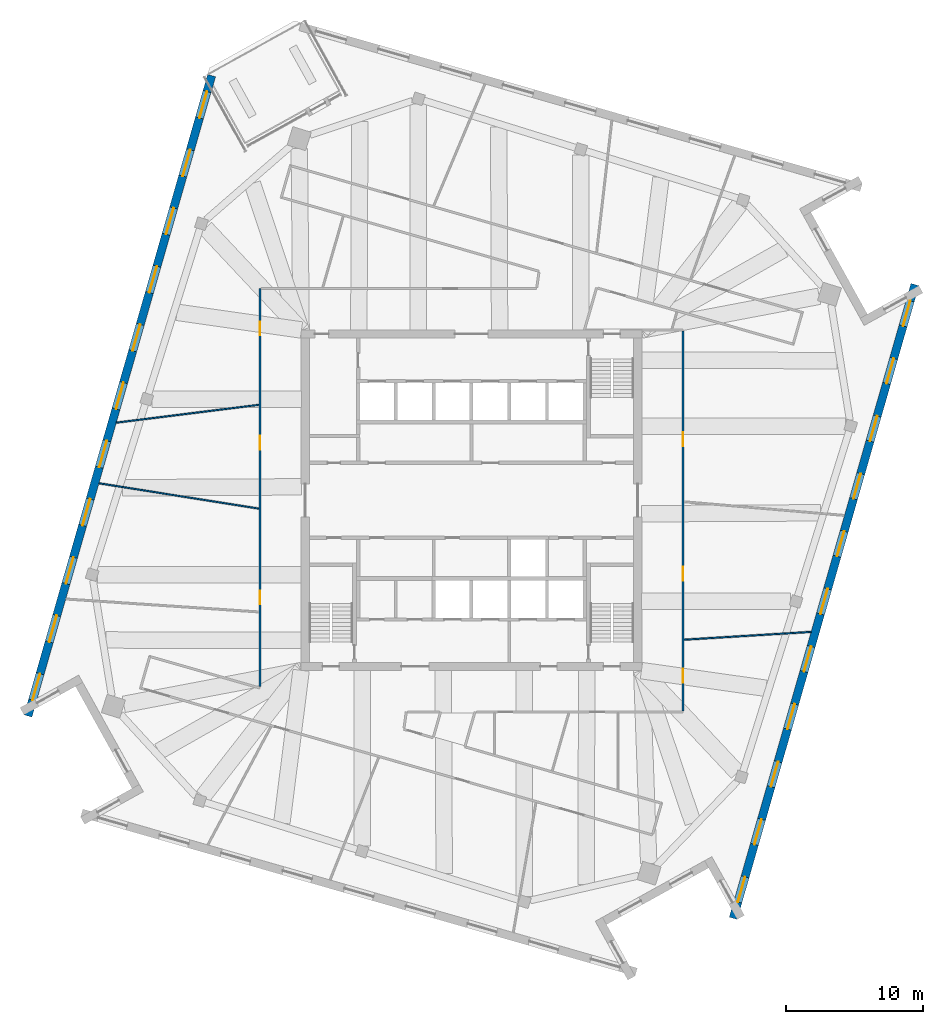
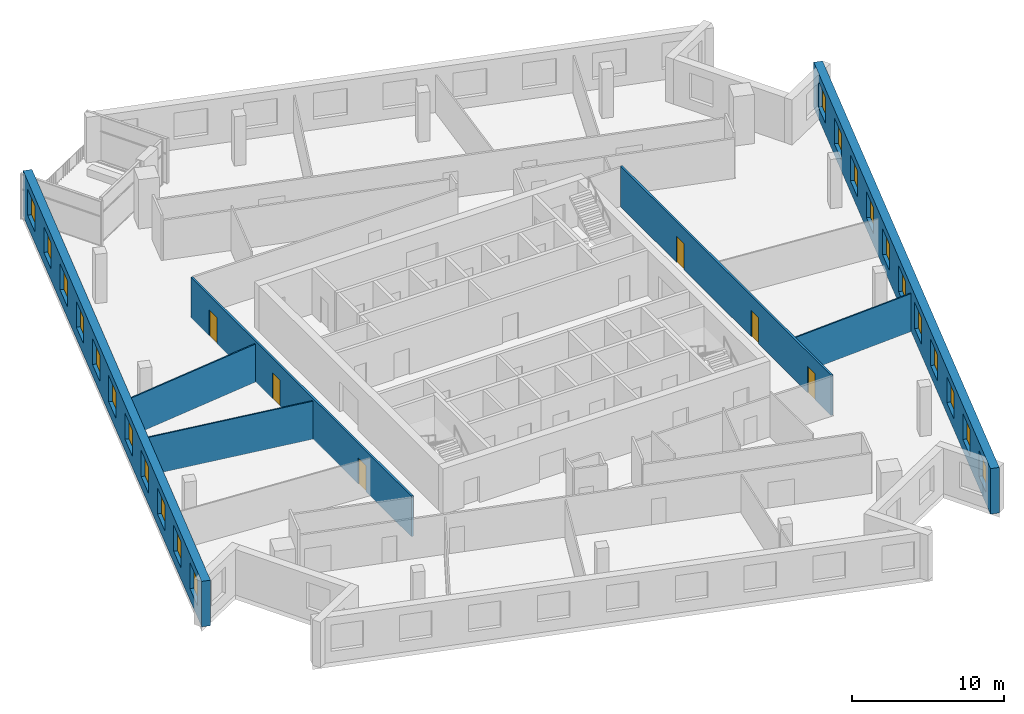
# One storey, part 9 of 15: 22 windows, 7 walls, 6 doors, 28 openings.
"""IFC4 building model written with IfcOpenShell, lengths in metres."""

from ifc_helpers import new_model, si_unit, direction, frame, frame_2d, origin, place, context, subcontext, project, spatial, rectangle, extrude, material, layer, layer_set, type_object, element, fill, save


model = new_model("IFC4")

# Units and contexts
model_context = context("Model", 3, precision=1e-05, world=origin(), true_north=direction((0.0, 1.0)))
body_context = subcontext(model_context, "Body", "Model", "MODEL_VIEW")
ifc_project = project(units=[si_unit("LENGTHUNIT", "METRE"), si_unit("AREAUNIT", "SQUARE_METRE"), si_unit("VOLUMEUNIT", "CUBIC_METRE"), si_unit("PLANEANGLEUNIT", "RADIAN"), si_unit("MASSUNIT", "GRAM", prefix="KILO")], contexts=[model_context])

# Site, building, storey
site_placement = place(None, origin())
site = spatial("IfcSite", under=ifc_project, at=site_placement, CompositionType="ELEMENT")
building_placement = place(site_placement, origin())
building = spatial("IfcBuilding", under=site, at=building_placement, Name="Dilmun Exchange Tower", CompositionType="ELEMENT")
storey_placement = place(building_placement, frame((0.0, 0.0, 328.5)))
storey = spatial("IfcBuildingStorey", under=building, at=storey_placement, Name="L78", CompositionType="ELEMENT", Elevation=328.5)

# Wall, openings, doors
ifc_material_1 = material(Name="Corridor wall 150")
ifc_layer_1 = layer(ifc_material_1, 0.14990234375)
ifc_layer_set_1 = layer_set([ifc_layer_1], Name="Corridor wall 150")
wall_type_1 = type_object("IfcWallType", Name="Corridor wall 150", PredefinedType="PARTITIONING", material=ifc_layer_set_1)
wall_1_placement = place(storey_placement, frame((-15.39990234375, -13.5654296875, 0.0), z_axis=(0.0, 0.0, 1.0), x_axis=(0.0, 1.0, 0.0)))
wall_1 = element("IfcWall", 1, at=wall_1_placement, inside=storey, type_object=wall_type_1, Name="Corridor wall", PredefinedType="PARTITIONING", context=body_context, shape_type="SweptSolid", body=[
    extrude(rectangle(XDim=28.96533203125, YDim=0.14990234375, at=frame_2d((14.482666015625, 0.0))), origin(), (0.0, 0.0, 1.0), 3.25),
])
opening_1_placement = place(wall_1_placement, frame((5.985595703125, 0.0, 0.0)))
opening_1 = element("IfcOpeningElement", 2, at=opening_1_placement, cuts=wall_1, Name="Opening TF77-D03", PredefinedType="OPENING", context=body_context, shape_type="SweptSolid", body=[
    extrude(rectangle(XDim=1.0, YDim=2.10009765625, at=frame_2d((0.5, 1.050048828125))), frame((0.0, 0.0849609375, 0.0), z_axis=(0.0, -1.0, 0.0), x_axis=(1.0, 0.0, 0.0)), (0.0, 0.0, 1.0), 0.169921875),
])
opening_2_placement = place(wall_1_placement, frame((17.248779296875, 0.0, 0.0)))
opening_2 = element("IfcOpeningElement", 3, at=opening_2_placement, cuts=wall_1, Name="Opening TF77-D04", PredefinedType="OPENING", context=body_context, shape_type="SweptSolid", body=[
    extrude(rectangle(XDim=1.0, YDim=2.10009765625, at=frame_2d((0.5, 1.050048828125))), frame((0.0, 0.0849609375, 0.0), z_axis=(0.0, -1.0, 0.0), x_axis=(1.0, 0.0, 0.0)), (0.0, 0.0, 1.0), 0.169921875),
])
opening_3_placement = place(wall_1_placement, frame((25.57080078125, 0.0, 0.0)))
opening_3 = element("IfcOpeningElement", 4, at=opening_3_placement, cuts=wall_1, Name="Opening TF77-D06", PredefinedType="OPENING", context=body_context, shape_type="SweptSolid", body=[
    extrude(rectangle(XDim=1.0, YDim=2.10009765625, at=frame_2d((0.5, 1.050048828125))), frame((0.0, 0.0849609375, 0.0), z_axis=(0.0, -1.0, 0.0), x_axis=(1.0, 0.0, 0.0)), (0.0, 0.0, 1.0), 0.169921875),
])
ifc_material_2 = material(Name="Fire door 1000 x 2100")
door_type = type_object("IfcDoorType", Name="Fire door 1000 x 2100", OperationType="NOTDEFINED", PredefinedType="DOOR", material=ifc_material_2)
door_1_placement = place(opening_1_placement, origin())
door_1 = element("IfcDoor", 5, at=door_1_placement, inside=storey, type_object=door_type, Name="Door TF77-D03", OperationType="SINGLE_SWING_RIGHT", OverallHeight=2.10009765625, OverallWidth=1.0, PredefinedType="DOOR", context=body_context, shape_type="SweptSolid", body=[
    extrude(rectangle(XDim=1.0, YDim=2.10009765625, at=frame_2d((0.5, 1.050048828125))), frame((0.0, 0.02490234375, 0.0), z_axis=(0.0, -1.0, 0.0), x_axis=(1.0, 0.0, 0.0)), (0.0, 0.0, 1.0), 0.050048828125),
])
fill(opening_1, door_1)
door_2_placement = place(opening_2_placement, origin())
door_2 = element("IfcDoor", 6, at=door_2_placement, inside=storey, type_object=door_type, Name="Door TF77-D04", OperationType="SINGLE_SWING_LEFT", OverallHeight=2.10009765625, OverallWidth=1.0, PredefinedType="DOOR", context=body_context, shape_type="SweptSolid", body=[
    extrude(rectangle(XDim=1.0, YDim=2.10009765625, at=frame_2d((0.5, 1.050048828125))), frame((0.0, 0.02490234375, 0.0), z_axis=(0.0, -1.0, 0.0), x_axis=(1.0, 0.0, 0.0)), (0.0, 0.0, 1.0), 0.050048828125),
])
fill(opening_2, door_2)
door_3_placement = place(opening_3_placement, origin())
door_3 = element("IfcDoor", 7, at=door_3_placement, inside=storey, type_object=door_type, Name="Door TF77-D06", OperationType="SINGLE_SWING_LEFT", OverallHeight=2.10009765625, OverallWidth=1.0, PredefinedType="DOOR", context=body_context, shape_type="SweptSolid", body=[
    extrude(rectangle(XDim=1.0, YDim=2.10009765625, at=frame_2d((0.5, 1.050048828125))), frame((0.0, 0.02490234375, 0.0), z_axis=(0.0, -1.0, 0.0), x_axis=(1.0, 0.0, 0.0)), (0.0, 0.0, 1.0), 0.050048828125),
])
fill(opening_3, door_3)

wall_2_placement = place(storey_placement, frame((15.39990234375, -15.324951171875, 0.0), z_axis=(0.0, 0.0, 1.0), x_axis=(0.0, 1.0, 0.0)))
wall_2 = element("IfcWall", 8, at=wall_2_placement, inside=storey, type_object=wall_type_1, Name="Corridor wall", PredefinedType="PARTITIONING", context=body_context, shape_type="SweptSolid", body=[
    extrude(rectangle(XDim=27.64990234375, YDim=0.14990234375, at=frame_2d((13.824951171875, 0.0))), origin(), (0.0, 0.0, 1.0), 3.25),
])
opening_4_placement = place(wall_2_placement, frame((2.050048828125, 0.0, 0.0)))
opening_4 = element("IfcOpeningElement", 9, at=opening_4_placement, cuts=wall_2, Name="Opening TF77-D17", PredefinedType="OPENING", context=body_context, shape_type="SweptSolid", body=[
    extrude(rectangle(XDim=1.0, YDim=2.10009765625, at=frame_2d((0.5, 1.050048828125))), frame((0.0, 0.0849609375, 0.0), z_axis=(0.0, -1.0, 0.0), x_axis=(1.0, 0.0, 0.0)), (0.0, 0.0, 1.0), 0.169921875),
])
opening_5_placement = place(wall_2_placement, frame((9.474365234375, 0.0, 0.0)))
opening_5 = element("IfcOpeningElement", 10, at=opening_5_placement, cuts=wall_2, Name="Opening TF77-D18", PredefinedType="OPENING", context=body_context, shape_type="SweptSolid", body=[
    extrude(rectangle(XDim=1.0, YDim=2.10009765625, at=frame_2d((0.5, 1.050048828125))), frame((0.0, 0.0849609375, 0.0), z_axis=(0.0, -1.0, 0.0), x_axis=(1.0, 0.0, 0.0)), (0.0, 0.0, 1.0), 0.169921875),
])
opening_6_placement = place(wall_2_placement, frame((19.271484375, 0.0, 0.0)))
opening_6 = element("IfcOpeningElement", 11, at=opening_6_placement, cuts=wall_2, Name="Opening TF77-D20", PredefinedType="OPENING", context=body_context, shape_type="SweptSolid", body=[
    extrude(rectangle(XDim=1.0, YDim=2.10009765625, at=frame_2d((0.5, 1.050048828125))), frame((0.0, 0.0849609375, 0.0), z_axis=(0.0, -1.0, 0.0), x_axis=(1.0, 0.0, 0.0)), (0.0, 0.0, 1.0), 0.169921875),
])
door_4_placement = place(opening_4_placement, frame((1.0, 0.0, 0.0), z_axis=(0.0, 0.0, 1.0), x_axis=(-1.0, 0.0, 0.0)))
door_4 = element("IfcDoor", 12, at=door_4_placement, inside=storey, type_object=door_type, Name="Door TF77-D17", OperationType="SINGLE_SWING_RIGHT", OverallHeight=2.10009765625, OverallWidth=1.0, PredefinedType="DOOR", context=body_context, shape_type="SweptSolid", body=[
    extrude(rectangle(XDim=1.0, YDim=2.10009765625, at=frame_2d((0.5, 1.050048828125))), frame((0.0, 0.02490234375, 0.0), z_axis=(0.0, -1.0, 0.0), x_axis=(1.0, 0.0, 0.0)), (0.0, 0.0, 1.0), 0.050048828125),
])
fill(opening_4, door_4)
door_5_placement = place(opening_5_placement, frame((1.0, 0.0, 0.0), z_axis=(0.0, 0.0, 1.0), x_axis=(-1.0, 0.0, 0.0)))
door_5 = element("IfcDoor", 13, at=door_5_placement, inside=storey, type_object=door_type, Name="Door TF77-D18", OperationType="SINGLE_SWING_LEFT", OverallHeight=2.10009765625, OverallWidth=1.0, PredefinedType="DOOR", context=body_context, shape_type="SweptSolid", body=[
    extrude(rectangle(XDim=1.0, YDim=2.10009765625, at=frame_2d((0.5, 1.050048828125))), frame((0.0, 0.02490234375, 0.0), z_axis=(0.0, -1.0, 0.0), x_axis=(1.0, 0.0, 0.0)), (0.0, 0.0, 1.0), 0.050048828125),
])
fill(opening_5, door_5)
door_6_placement = place(opening_6_placement, frame((1.0, 0.0, 0.0), z_axis=(0.0, 0.0, 1.0), x_axis=(-1.0, 0.0, 0.0)))
door_6 = element("IfcDoor", 14, at=door_6_placement, inside=storey, type_object=door_type, Name="Door TF77-D20", OperationType="SINGLE_SWING_LEFT", OverallHeight=2.10009765625, OverallWidth=1.0, PredefinedType="DOOR", context=body_context, shape_type="SweptSolid", body=[
    extrude(rectangle(XDim=1.0, YDim=2.10009765625, at=frame_2d((0.5, 1.050048828125))), frame((0.0, 0.02490234375, 0.0), z_axis=(0.0, -1.0, 0.0), x_axis=(1.0, 0.0, 0.0)), (0.0, 0.0, 1.0), 0.050048828125),
])
fill(opening_6, door_6)

# Walls
ifc_material_3 = material(Name="Partition 100")
ifc_layer_2 = layer(ifc_material_3, 0.10009765625)
ifc_layer_set_2 = layer_set([ifc_layer_2], Name="Partition 100")
wall_type_2 = type_object("IfcWallType", Name="Partition 100", PredefinedType="PARTITIONING", material=ifc_layer_set_2)
wall_3_placement = place(storey_placement, frame((-27.106689453125, 1.238037109375, 0.0), z_axis=(0.0, 0.0, 1.0), x_axis=(0.987675008346, -0.156518618344, 0.0)))
element("IfcWall", 15, at=wall_3_placement, inside=storey, type_object=wall_type_2, Name="Partition", PredefinedType="PARTITIONING", context=body_context, shape_type="SweptSolid", body=[
    extrude(rectangle(XDim=11.768798828125, YDim=0.10009765625, at=frame_2d((5.88427734375, 0.0))), origin(), (0.0, 0.0, 1.0), 3.050048828125),
])
wall_4_placement = place(storey_placement, frame((-25.841796875, 5.649658203125, 0.0), z_axis=(0.0, 0.0, 1.0), x_axis=(0.992219133517, 0.12450377939, 0.0)))
element("IfcWall", 16, at=wall_4_placement, inside=storey, type_object=wall_type_2, Name="Partition", PredefinedType="PARTITIONING", context=body_context, shape_type="SweptSolid", body=[
    extrude(rectangle(XDim=10.44189453125, YDim=0.10009765625, at=frame_2d((5.220947265625, 0.0))), origin(), (0.0, 0.0, 1.0), 3.050048828125),
])
wall_5_placement = place(storey_placement, frame((15.47802734375, -10.146240234375, 0.0), z_axis=(0.0, 0.0, 1.0), x_axis=(0.998109331295, 0.061463507728, 0.0)))
element("IfcWall", 17, at=wall_5_placement, inside=storey, type_object=wall_type_2, Name="Partition", PredefinedType="PARTITIONING", context=body_context, shape_type="SweptSolid", body=[
    extrude(rectangle(XDim=9.255126953125, YDim=0.10009765625, at=frame_2d((4.62744140625, 0.0))), origin(), (0.0, 0.0, 1.0), 3.050048828125),
])

# Wall, openings, windows
ifc_material_4 = material(Name="Precast concrete C50/60", Category="concrete")
ifc_layer_3 = layer(ifc_material_4, 0.60009765625)
ifc_layer_set_3 = layer_set([ifc_layer_3], Name="Precast concrete C50/60")
wall_type_3 = type_object("IfcWallType", Name="Precast stone-clad wall 600", PredefinedType="STANDARD", material=ifc_layer_set_3)
wall_6_placement = place(storey_placement, frame((-18.91259765625, 30.910400390625, 0.0), z_axis=(0.0, 0.0, 1.0), x_axis=(-0.275636693765, -0.961261885778, 0.0)))
wall_6 = element("IfcWall", 18, at=wall_6_placement, inside=storey, type_object=wall_type_3, Name="Facade wall L78-03", PredefinedType="STANDARD", context=body_context, shape_type="SweptSolid", body=[
    extrude(rectangle(XDim=48.489501953125, YDim=0.60009765625, at=frame_2d((24.24462890625, 0.0))), origin(), (0.0, 0.0, 1.0), 3.64990234375),
])
opening_7_placement = place(wall_6_placement, frame((1.2041015625, 0.0, 0.89990234375)))
opening_7 = element("IfcOpeningElement", 19, at=opening_7_placement, cuts=wall_6, Name="Opening W200-210", PredefinedType="OPENING", context=body_context, shape_type="SweptSolid", body=[
    extrude(rectangle(XDim=2.0, YDim=2.10009765625, at=frame_2d((1.0, 1.050048828125))), frame((0.0, 0.31005859375, 0.0), z_axis=(0.0, -1.0, 0.0), x_axis=(1.0, 0.0, 0.0)), (0.0, 0.0, 1.0), 0.6201171875),
])
opening_8_placement = place(wall_6_placement, frame((5.6123046875, 0.0, 0.89990234375)))
opening_8 = element("IfcOpeningElement", 20, at=opening_8_placement, cuts=wall_6, Name="Opening W200-210", PredefinedType="OPENING", context=body_context, shape_type="SweptSolid", body=[
    extrude(rectangle(XDim=2.0, YDim=2.10009765625, at=frame_2d((1.0, 1.050048828125))), frame((0.0, 0.31005859375, 0.0), z_axis=(0.0, -1.0, 0.0), x_axis=(1.0, 0.0, 0.0)), (0.0, 0.0, 1.0), 0.6201171875),
])
opening_9_placement = place(wall_6_placement, frame((10.0205078125, 0.0, 0.89990234375)))
opening_9 = element("IfcOpeningElement", 21, at=opening_9_placement, cuts=wall_6, Name="Opening W200-210", PredefinedType="OPENING", context=body_context, shape_type="SweptSolid", body=[
    extrude(rectangle(XDim=2.0, YDim=2.10009765625, at=frame_2d((1.0, 1.050048828125))), frame((0.0, 0.31005859375, 0.0), z_axis=(0.0, -1.0, 0.0), x_axis=(1.0, 0.0, 0.0)), (0.0, 0.0, 1.0), 0.6201171875),
])
opening_10_placement = place(wall_6_placement, frame((14.428466796875, 0.0, 0.89990234375)))
opening_10 = element("IfcOpeningElement", 22, at=opening_10_placement, cuts=wall_6, Name="Opening W200-210", PredefinedType="OPENING", context=body_context, shape_type="SweptSolid", body=[
    extrude(rectangle(XDim=2.0, YDim=2.10009765625, at=frame_2d((1.0, 1.050048828125))), frame((0.0, 0.31005859375, 0.0), z_axis=(0.0, -1.0, 0.0), x_axis=(1.0, 0.0, 0.0)), (0.0, 0.0, 1.0), 0.6201171875),
])
opening_11_placement = place(wall_6_placement, frame((18.836669921875, 0.0, 0.89990234375)))
opening_11 = element("IfcOpeningElement", 23, at=opening_11_placement, cuts=wall_6, Name="Opening W200-210", PredefinedType="OPENING", context=body_context, shape_type="SweptSolid", body=[
    extrude(rectangle(XDim=2.0, YDim=2.10009765625, at=frame_2d((1.0, 1.050048828125))), frame((0.0, 0.31005859375, 0.0), z_axis=(0.0, -1.0, 0.0), x_axis=(1.0, 0.0, 0.0)), (0.0, 0.0, 1.0), 0.6201171875),
])
opening_12_placement = place(wall_6_placement, frame((23.244873046875, 0.0, 0.89990234375)))
opening_12 = element("IfcOpeningElement", 24, at=opening_12_placement, cuts=wall_6, Name="Opening W200-210", PredefinedType="OPENING", context=body_context, shape_type="SweptSolid", body=[
    extrude(rectangle(XDim=2.0, YDim=2.10009765625, at=frame_2d((1.0, 1.050048828125))), frame((0.0, 0.31005859375, 0.0), z_axis=(0.0, -1.0, 0.0), x_axis=(1.0, 0.0, 0.0)), (0.0, 0.0, 1.0), 0.6201171875),
])
opening_13_placement = place(wall_6_placement, frame((27.65283203125, 0.0, 0.89990234375)))
opening_13 = element("IfcOpeningElement", 25, at=opening_13_placement, cuts=wall_6, Name="Opening W200-210", PredefinedType="OPENING", context=body_context, shape_type="SweptSolid", body=[
    extrude(rectangle(XDim=2.0, YDim=2.10009765625, at=frame_2d((1.0, 1.050048828125))), frame((0.0, 0.31005859375, 0.0), z_axis=(0.0, -1.0, 0.0), x_axis=(1.0, 0.0, 0.0)), (0.0, 0.0, 1.0), 0.6201171875),
])
opening_14_placement = place(wall_6_placement, frame((32.06103515625, 0.0, 0.89990234375)))
opening_14 = element("IfcOpeningElement", 26, at=opening_14_placement, cuts=wall_6, Name="Opening W200-210", PredefinedType="OPENING", context=body_context, shape_type="SweptSolid", body=[
    extrude(rectangle(XDim=2.0, YDim=2.10009765625, at=frame_2d((1.0, 1.050048828125))), frame((0.0, 0.31005859375, 0.0), z_axis=(0.0, -1.0, 0.0), x_axis=(1.0, 0.0, 0.0)), (0.0, 0.0, 1.0), 0.6201171875),
])
opening_15_placement = place(wall_6_placement, frame((36.46923828125, 0.0, 0.89990234375)))
opening_15 = element("IfcOpeningElement", 27, at=opening_15_placement, cuts=wall_6, Name="Opening W200-210", PredefinedType="OPENING", context=body_context, shape_type="SweptSolid", body=[
    extrude(rectangle(XDim=2.0, YDim=2.10009765625, at=frame_2d((1.0, 1.050048828125))), frame((0.0, 0.31005859375, 0.0), z_axis=(0.0, -1.0, 0.0), x_axis=(1.0, 0.0, 0.0)), (0.0, 0.0, 1.0), 0.6201171875),
])
opening_16_placement = place(wall_6_placement, frame((40.87744140625, 0.0, 0.89990234375)))
opening_16 = element("IfcOpeningElement", 28, at=opening_16_placement, cuts=wall_6, Name="Opening W200-210", PredefinedType="OPENING", context=body_context, shape_type="SweptSolid", body=[
    extrude(rectangle(XDim=2.0, YDim=2.10009765625, at=frame_2d((1.0, 1.050048828125))), frame((0.0, 0.31005859375, 0.0), z_axis=(0.0, -1.0, 0.0), x_axis=(1.0, 0.0, 0.0)), (0.0, 0.0, 1.0), 0.6201171875),
])
opening_17_placement = place(wall_6_placement, frame((45.285400390625, 0.0, 0.89990234375)))
opening_17 = element("IfcOpeningElement", 29, at=opening_17_placement, cuts=wall_6, Name="Opening W200-210", PredefinedType="OPENING", context=body_context, shape_type="SweptSolid", body=[
    extrude(rectangle(XDim=2.0, YDim=2.10009765625, at=frame_2d((1.0, 1.050048828125))), frame((0.0, 0.31005859375, 0.0), z_axis=(0.0, -1.0, 0.0), x_axis=(1.0, 0.0, 0.0)), (0.0, 0.0, 1.0), 0.6201171875),
])
ifc_material_5 = material(Name="Clear low-emissivity glass in aluminium frame", Category="aluminium")
window_type_1 = type_object("IfcWindowType", Name="Punched window 2000 x 2100", PartitioningType="DOUBLE_PANEL_VERTICAL", PredefinedType="WINDOW", material=ifc_material_5)
window_1_placement = place(opening_7_placement, origin())
window_1 = element("IfcWindow", 30, at=window_1_placement, inside=storey, type_object=window_type_1, Name="Window 4.1", OverallHeight=2.10009765625, OverallWidth=2.0, PartitioningType="SINGLE_PANEL", PredefinedType="WINDOW", context=body_context, shape_type="SweptSolid", body=[
    extrude(rectangle(XDim=2.0, YDim=2.10009765625, at=frame_2d((1.0, 1.050048828125))), frame((0.0, 0.030029296875, 0.0), z_axis=(0.0, -1.0, 0.0), x_axis=(1.0, 0.0, 0.0)), (0.0, 0.0, 1.0), 0.06005859375),
])
fill(opening_7, window_1)
window_2_placement = place(opening_8_placement, origin())
window_2 = element("IfcWindow", 31, at=window_2_placement, inside=storey, type_object=window_type_1, Name="Window 4.2", OverallHeight=2.10009765625, OverallWidth=2.0, PartitioningType="SINGLE_PANEL", PredefinedType="WINDOW", context=body_context, shape_type="SweptSolid", body=[
    extrude(rectangle(XDim=2.0, YDim=2.10009765625, at=frame_2d((1.0, 1.050048828125))), frame((0.0, 0.030029296875, 0.0), z_axis=(0.0, -1.0, 0.0), x_axis=(1.0, 0.0, 0.0)), (0.0, 0.0, 1.0), 0.06005859375),
])
fill(opening_8, window_2)
window_3_placement = place(opening_9_placement, origin())
window_3 = element("IfcWindow", 32, at=window_3_placement, inside=storey, type_object=window_type_1, Name="Window 4.3", OverallHeight=2.10009765625, OverallWidth=2.0, PartitioningType="SINGLE_PANEL", PredefinedType="WINDOW", context=body_context, shape_type="SweptSolid", body=[
    extrude(rectangle(XDim=2.0, YDim=2.10009765625, at=frame_2d((1.0, 1.050048828125))), frame((0.0, 0.030029296875, 0.0), z_axis=(0.0, -1.0, 0.0), x_axis=(1.0, 0.0, 0.0)), (0.0, 0.0, 1.0), 0.06005859375),
])
fill(opening_9, window_3)
window_4_placement = place(opening_10_placement, origin())
window_4 = element("IfcWindow", 33, at=window_4_placement, inside=storey, type_object=window_type_1, Name="Window 4.4", OverallHeight=2.10009765625, OverallWidth=2.0, PartitioningType="SINGLE_PANEL", PredefinedType="WINDOW", context=body_context, shape_type="SweptSolid", body=[
    extrude(rectangle(XDim=2.0, YDim=2.10009765625, at=frame_2d((1.0, 1.050048828125))), frame((0.0, 0.030029296875, 0.0), z_axis=(0.0, -1.0, 0.0), x_axis=(1.0, 0.0, 0.0)), (0.0, 0.0, 1.0), 0.06005859375),
])
fill(opening_10, window_4)
window_5_placement = place(opening_11_placement, origin())
window_5 = element("IfcWindow", 34, at=window_5_placement, inside=storey, type_object=window_type_1, Name="Window 4.5", OverallHeight=2.10009765625, OverallWidth=2.0, PartitioningType="SINGLE_PANEL", PredefinedType="WINDOW", context=body_context, shape_type="SweptSolid", body=[
    extrude(rectangle(XDim=2.0, YDim=2.10009765625, at=frame_2d((1.0, 1.050048828125))), frame((0.0, 0.030029296875, 0.0), z_axis=(0.0, -1.0, 0.0), x_axis=(1.0, 0.0, 0.0)), (0.0, 0.0, 1.0), 0.06005859375),
])
fill(opening_11, window_5)
window_6_placement = place(opening_12_placement, origin())
window_6 = element("IfcWindow", 35, at=window_6_placement, inside=storey, type_object=window_type_1, Name="Window 4.6", OverallHeight=2.10009765625, OverallWidth=2.0, PartitioningType="SINGLE_PANEL", PredefinedType="WINDOW", context=body_context, shape_type="SweptSolid", body=[
    extrude(rectangle(XDim=2.0, YDim=2.10009765625, at=frame_2d((1.0, 1.050048828125))), frame((0.0, 0.030029296875, 0.0), z_axis=(0.0, -1.0, 0.0), x_axis=(1.0, 0.0, 0.0)), (0.0, 0.0, 1.0), 0.06005859375),
])
fill(opening_12, window_6)
window_7_placement = place(opening_13_placement, origin())
window_7 = element("IfcWindow", 36, at=window_7_placement, inside=storey, type_object=window_type_1, Name="Window 4.7", OverallHeight=2.10009765625, OverallWidth=2.0, PartitioningType="SINGLE_PANEL", PredefinedType="WINDOW", context=body_context, shape_type="SweptSolid", body=[
    extrude(rectangle(XDim=2.0, YDim=2.10009765625, at=frame_2d((1.0, 1.050048828125))), frame((0.0, 0.030029296875, 0.0), z_axis=(0.0, -1.0, 0.0), x_axis=(1.0, 0.0, 0.0)), (0.0, 0.0, 1.0), 0.06005859375),
])
fill(opening_13, window_7)
window_8_placement = place(opening_14_placement, origin())
window_8 = element("IfcWindow", 37, at=window_8_placement, inside=storey, type_object=window_type_1, Name="Window 4.8", OverallHeight=2.10009765625, OverallWidth=2.0, PartitioningType="SINGLE_PANEL", PredefinedType="WINDOW", context=body_context, shape_type="SweptSolid", body=[
    extrude(rectangle(XDim=2.0, YDim=2.10009765625, at=frame_2d((1.0, 1.050048828125))), frame((0.0, 0.030029296875, 0.0), z_axis=(0.0, -1.0, 0.0), x_axis=(1.0, 0.0, 0.0)), (0.0, 0.0, 1.0), 0.06005859375),
])
fill(opening_14, window_8)
window_9_placement = place(opening_15_placement, origin())
window_9 = element("IfcWindow", 38, at=window_9_placement, inside=storey, type_object=window_type_1, Name="Window 4.9", OverallHeight=2.10009765625, OverallWidth=2.0, PartitioningType="SINGLE_PANEL", PredefinedType="WINDOW", context=body_context, shape_type="SweptSolid", body=[
    extrude(rectangle(XDim=2.0, YDim=2.10009765625, at=frame_2d((1.0, 1.050048828125))), frame((0.0, 0.030029296875, 0.0), z_axis=(0.0, -1.0, 0.0), x_axis=(1.0, 0.0, 0.0)), (0.0, 0.0, 1.0), 0.06005859375),
])
fill(opening_15, window_9)
window_10_placement = place(opening_16_placement, origin())
window_10 = element("IfcWindow", 39, at=window_10_placement, inside=storey, type_object=window_type_1, Name="Window 4.10", OverallHeight=2.10009765625, OverallWidth=2.0, PartitioningType="SINGLE_PANEL", PredefinedType="WINDOW", context=body_context, shape_type="SweptSolid", body=[
    extrude(rectangle(XDim=2.0, YDim=2.10009765625, at=frame_2d((1.0, 1.050048828125))), frame((0.0, 0.030029296875, 0.0), z_axis=(0.0, -1.0, 0.0), x_axis=(1.0, 0.0, 0.0)), (0.0, 0.0, 1.0), 0.06005859375),
])
fill(opening_16, window_10)
window_11_placement = place(opening_17_placement, origin())
window_11 = element("IfcWindow", 40, at=window_11_placement, inside=storey, type_object=window_type_1, Name="Window 4.11", OverallHeight=2.10009765625, OverallWidth=2.0, PartitioningType="SINGLE_PANEL", PredefinedType="WINDOW", context=body_context, shape_type="SweptSolid", body=[
    extrude(rectangle(XDim=2.0, YDim=2.10009765625, at=frame_2d((1.0, 1.050048828125))), frame((0.0, 0.030029296875, 0.0), z_axis=(0.0, -1.0, 0.0), x_axis=(1.0, 0.0, 0.0)), (0.0, 0.0, 1.0), 0.06005859375),
])
fill(opening_17, window_11)

wall_7_placement = place(storey_placement, frame((19.05322265625, -30.419921875, 0.0), z_axis=(0.0, 0.0, 1.0), x_axis=(0.275637022814, 0.961261791425, 0.0)))
wall_7 = element("IfcWall", 41, at=wall_7_placement, inside=storey, type_object=wall_type_3, Name="Facade wall L78-11", PredefinedType="STANDARD", context=body_context, shape_type="SweptSolid", body=[
    extrude(rectangle(XDim=47.979248046875, YDim=0.60009765625, at=frame_2d((23.98974609375, 0.0))), origin(), (0.0, 0.0, 1.0), 3.64990234375),
])
opening_18_placement = place(wall_7_placement, frame((1.23095703125, 0.0, 0.89990234375)))
opening_18 = element("IfcOpeningElement", 42, at=opening_18_placement, cuts=wall_7, Name="Opening W190-210", PredefinedType="OPENING", context=body_context, shape_type="SweptSolid", body=[
    extrude(rectangle(XDim=1.89990234375, YDim=2.10009765625, at=frame_2d((0.949951171875, 1.050048828125))), frame((0.0, 0.31005859375, 0.0), z_axis=(0.0, -1.0, 0.0), x_axis=(1.0, 0.0, 0.0)), (0.0, 0.0, 1.0), 0.6201171875),
])
opening_19_placement = place(wall_7_placement, frame((5.592529296875, 0.0, 0.89990234375)))
opening_19 = element("IfcOpeningElement", 43, at=opening_19_placement, cuts=wall_7, Name="Opening W190-210", PredefinedType="OPENING", context=body_context, shape_type="SweptSolid", body=[
    extrude(rectangle(XDim=1.89990234375, YDim=2.10009765625, at=frame_2d((0.949951171875, 1.050048828125))), frame((0.0, 0.31005859375, 0.0), z_axis=(0.0, -1.0, 0.0), x_axis=(1.0, 0.0, 0.0)), (0.0, 0.0, 1.0), 0.6201171875),
])
opening_20_placement = place(wall_7_placement, frame((9.954345703125, 0.0, 0.89990234375)))
opening_20 = element("IfcOpeningElement", 44, at=opening_20_placement, cuts=wall_7, Name="Opening W190-210", PredefinedType="OPENING", context=body_context, shape_type="SweptSolid", body=[
    extrude(rectangle(XDim=1.89990234375, YDim=2.10009765625, at=frame_2d((0.949951171875, 1.050048828125))), frame((0.0, 0.31005859375, 0.0), z_axis=(0.0, -1.0, 0.0), x_axis=(1.0, 0.0, 0.0)), (0.0, 0.0, 1.0), 0.6201171875),
])
opening_21_placement = place(wall_7_placement, frame((14.316162109375, 0.0, 0.89990234375)))
opening_21 = element("IfcOpeningElement", 45, at=opening_21_placement, cuts=wall_7, Name="Opening W190-210", PredefinedType="OPENING", context=body_context, shape_type="SweptSolid", body=[
    extrude(rectangle(XDim=1.89990234375, YDim=2.10009765625, at=frame_2d((0.949951171875, 1.050048828125))), frame((0.0, 0.31005859375, 0.0), z_axis=(0.0, -1.0, 0.0), x_axis=(1.0, 0.0, 0.0)), (0.0, 0.0, 1.0), 0.6201171875),
])
opening_22_placement = place(wall_7_placement, frame((18.677734375, 0.0, 0.89990234375)))
opening_22 = element("IfcOpeningElement", 46, at=opening_22_placement, cuts=wall_7, Name="Opening W190-210", PredefinedType="OPENING", context=body_context, shape_type="SweptSolid", body=[
    extrude(rectangle(XDim=1.89990234375, YDim=2.10009765625, at=frame_2d((0.949951171875, 1.050048828125))), frame((0.0, 0.31005859375, 0.0), z_axis=(0.0, -1.0, 0.0), x_axis=(1.0, 0.0, 0.0)), (0.0, 0.0, 1.0), 0.6201171875),
])
opening_23_placement = place(wall_7_placement, frame((23.03955078125, 0.0, 0.89990234375)))
opening_23 = element("IfcOpeningElement", 47, at=opening_23_placement, cuts=wall_7, Name="Opening W190-210", PredefinedType="OPENING", context=body_context, shape_type="SweptSolid", body=[
    extrude(rectangle(XDim=1.89990234375, YDim=2.10009765625, at=frame_2d((0.949951171875, 1.050048828125))), frame((0.0, 0.31005859375, 0.0), z_axis=(0.0, -1.0, 0.0), x_axis=(1.0, 0.0, 0.0)), (0.0, 0.0, 1.0), 0.6201171875),
])
opening_24_placement = place(wall_7_placement, frame((27.4013671875, 0.0, 0.89990234375)))
opening_24 = element("IfcOpeningElement", 48, at=opening_24_placement, cuts=wall_7, Name="Opening W190-210", PredefinedType="OPENING", context=body_context, shape_type="SweptSolid", body=[
    extrude(rectangle(XDim=1.89990234375, YDim=2.10009765625, at=frame_2d((0.949951171875, 1.050048828125))), frame((0.0, 0.31005859375, 0.0), z_axis=(0.0, -1.0, 0.0), x_axis=(1.0, 0.0, 0.0)), (0.0, 0.0, 1.0), 0.6201171875),
])
opening_25_placement = place(wall_7_placement, frame((31.76318359375, 0.0, 0.89990234375)))
opening_25 = element("IfcOpeningElement", 49, at=opening_25_placement, cuts=wall_7, Name="Opening W190-210", PredefinedType="OPENING", context=body_context, shape_type="SweptSolid", body=[
    extrude(rectangle(XDim=1.89990234375, YDim=2.10009765625, at=frame_2d((0.949951171875, 1.050048828125))), frame((0.0, 0.31005859375, 0.0), z_axis=(0.0, -1.0, 0.0), x_axis=(1.0, 0.0, 0.0)), (0.0, 0.0, 1.0), 0.6201171875),
])
opening_26_placement = place(wall_7_placement, frame((36.124755859375, 0.0, 0.89990234375)))
opening_26 = element("IfcOpeningElement", 50, at=opening_26_placement, cuts=wall_7, Name="Opening W190-210", PredefinedType="OPENING", context=body_context, shape_type="SweptSolid", body=[
    extrude(rectangle(XDim=1.89990234375, YDim=2.10009765625, at=frame_2d((0.949951171875, 1.050048828125))), frame((0.0, 0.31005859375, 0.0), z_axis=(0.0, -1.0, 0.0), x_axis=(1.0, 0.0, 0.0)), (0.0, 0.0, 1.0), 0.6201171875),
])
opening_27_placement = place(wall_7_placement, frame((40.486572265625, 0.0, 0.89990234375)))
opening_27 = element("IfcOpeningElement", 51, at=opening_27_placement, cuts=wall_7, Name="Opening W190-210", PredefinedType="OPENING", context=body_context, shape_type="SweptSolid", body=[
    extrude(rectangle(XDim=1.89990234375, YDim=2.10009765625, at=frame_2d((0.949951171875, 1.050048828125))), frame((0.0, 0.31005859375, 0.0), z_axis=(0.0, -1.0, 0.0), x_axis=(1.0, 0.0, 0.0)), (0.0, 0.0, 1.0), 0.6201171875),
])
opening_28_placement = place(wall_7_placement, frame((44.848388671875, 0.0, 0.89990234375)))
opening_28 = element("IfcOpeningElement", 52, at=opening_28_placement, cuts=wall_7, Name="Opening W190-210", PredefinedType="OPENING", context=body_context, shape_type="SweptSolid", body=[
    extrude(rectangle(XDim=1.89990234375, YDim=2.10009765625, at=frame_2d((0.949951171875, 1.050048828125))), frame((0.0, 0.31005859375, 0.0), z_axis=(0.0, -1.0, 0.0), x_axis=(1.0, 0.0, 0.0)), (0.0, 0.0, 1.0), 0.6201171875),
])
window_type_2 = type_object("IfcWindowType", Name="Punched window 1900 x 2100", PartitioningType="DOUBLE_PANEL_VERTICAL", PredefinedType="WINDOW", material=ifc_material_5)
window_12_placement = place(opening_18_placement, origin())
window_12 = element("IfcWindow", 53, at=window_12_placement, inside=storey, type_object=window_type_2, Name="Window 12.1", OverallHeight=2.10009765625, OverallWidth=1.89990234375, PartitioningType="SINGLE_PANEL", PredefinedType="WINDOW", context=body_context, shape_type="SweptSolid", body=[
    extrude(rectangle(XDim=1.89990234375, YDim=2.10009765625, at=frame_2d((0.949951171875, 1.050048828125))), frame((0.0, 0.030029296875, 0.0), z_axis=(0.0, -1.0, 0.0), x_axis=(1.0, 0.0, 0.0)), (0.0, 0.0, 1.0), 0.06005859375),
])
fill(opening_18, window_12)
window_13_placement = place(opening_19_placement, origin())
window_13 = element("IfcWindow", 54, at=window_13_placement, inside=storey, type_object=window_type_2, Name="Window 12.2", OverallHeight=2.10009765625, OverallWidth=1.89990234375, PartitioningType="SINGLE_PANEL", PredefinedType="WINDOW", context=body_context, shape_type="SweptSolid", body=[
    extrude(rectangle(XDim=1.89990234375, YDim=2.10009765625, at=frame_2d((0.949951171875, 1.050048828125))), frame((0.0, 0.030029296875, 0.0), z_axis=(0.0, -1.0, 0.0), x_axis=(1.0, 0.0, 0.0)), (0.0, 0.0, 1.0), 0.06005859375),
])
fill(opening_19, window_13)
window_14_placement = place(opening_20_placement, origin())
window_14 = element("IfcWindow", 55, at=window_14_placement, inside=storey, type_object=window_type_2, Name="Window 12.3", OverallHeight=2.10009765625, OverallWidth=1.89990234375, PartitioningType="SINGLE_PANEL", PredefinedType="WINDOW", context=body_context, shape_type="SweptSolid", body=[
    extrude(rectangle(XDim=1.89990234375, YDim=2.10009765625, at=frame_2d((0.949951171875, 1.050048828125))), frame((0.0, 0.030029296875, 0.0), z_axis=(0.0, -1.0, 0.0), x_axis=(1.0, 0.0, 0.0)), (0.0, 0.0, 1.0), 0.06005859375),
])
fill(opening_20, window_14)
window_15_placement = place(opening_21_placement, origin())
window_15 = element("IfcWindow", 56, at=window_15_placement, inside=storey, type_object=window_type_2, Name="Window 12.4", OverallHeight=2.10009765625, OverallWidth=1.89990234375, PartitioningType="SINGLE_PANEL", PredefinedType="WINDOW", context=body_context, shape_type="SweptSolid", body=[
    extrude(rectangle(XDim=1.89990234375, YDim=2.10009765625, at=frame_2d((0.949951171875, 1.050048828125))), frame((0.0, 0.030029296875, 0.0), z_axis=(0.0, -1.0, 0.0), x_axis=(1.0, 0.0, 0.0)), (0.0, 0.0, 1.0), 0.06005859375),
])
fill(opening_21, window_15)
window_16_placement = place(opening_22_placement, origin())
window_16 = element("IfcWindow", 57, at=window_16_placement, inside=storey, type_object=window_type_2, Name="Window 12.5", OverallHeight=2.10009765625, OverallWidth=1.89990234375, PartitioningType="SINGLE_PANEL", PredefinedType="WINDOW", context=body_context, shape_type="SweptSolid", body=[
    extrude(rectangle(XDim=1.89990234375, YDim=2.10009765625, at=frame_2d((0.949951171875, 1.050048828125))), frame((0.0, 0.030029296875, 0.0), z_axis=(0.0, -1.0, 0.0), x_axis=(1.0, 0.0, 0.0)), (0.0, 0.0, 1.0), 0.06005859375),
])
fill(opening_22, window_16)
window_17_placement = place(opening_23_placement, origin())
window_17 = element("IfcWindow", 58, at=window_17_placement, inside=storey, type_object=window_type_2, Name="Window 12.6", OverallHeight=2.10009765625, OverallWidth=1.89990234375, PartitioningType="SINGLE_PANEL", PredefinedType="WINDOW", context=body_context, shape_type="SweptSolid", body=[
    extrude(rectangle(XDim=1.89990234375, YDim=2.10009765625, at=frame_2d((0.949951171875, 1.050048828125))), frame((0.0, 0.030029296875, 0.0), z_axis=(0.0, -1.0, 0.0), x_axis=(1.0, 0.0, 0.0)), (0.0, 0.0, 1.0), 0.06005859375),
])
fill(opening_23, window_17)
window_18_placement = place(opening_24_placement, origin())
window_18 = element("IfcWindow", 59, at=window_18_placement, inside=storey, type_object=window_type_2, Name="Window 12.7", OverallHeight=2.10009765625, OverallWidth=1.89990234375, PartitioningType="SINGLE_PANEL", PredefinedType="WINDOW", context=body_context, shape_type="SweptSolid", body=[
    extrude(rectangle(XDim=1.89990234375, YDim=2.10009765625, at=frame_2d((0.949951171875, 1.050048828125))), frame((0.0, 0.030029296875, 0.0), z_axis=(0.0, -1.0, 0.0), x_axis=(1.0, 0.0, 0.0)), (0.0, 0.0, 1.0), 0.06005859375),
])
fill(opening_24, window_18)
window_19_placement = place(opening_25_placement, origin())
window_19 = element("IfcWindow", 60, at=window_19_placement, inside=storey, type_object=window_type_2, Name="Window 12.8", OverallHeight=2.10009765625, OverallWidth=1.89990234375, PartitioningType="SINGLE_PANEL", PredefinedType="WINDOW", context=body_context, shape_type="SweptSolid", body=[
    extrude(rectangle(XDim=1.89990234375, YDim=2.10009765625, at=frame_2d((0.949951171875, 1.050048828125))), frame((0.0, 0.030029296875, 0.0), z_axis=(0.0, -1.0, 0.0), x_axis=(1.0, 0.0, 0.0)), (0.0, 0.0, 1.0), 0.06005859375),
])
fill(opening_25, window_19)
window_20_placement = place(opening_26_placement, origin())
window_20 = element("IfcWindow", 61, at=window_20_placement, inside=storey, type_object=window_type_2, Name="Window 12.9", OverallHeight=2.10009765625, OverallWidth=1.89990234375, PartitioningType="SINGLE_PANEL", PredefinedType="WINDOW", context=body_context, shape_type="SweptSolid", body=[
    extrude(rectangle(XDim=1.89990234375, YDim=2.10009765625, at=frame_2d((0.949951171875, 1.050048828125))), frame((0.0, 0.030029296875, 0.0), z_axis=(0.0, -1.0, 0.0), x_axis=(1.0, 0.0, 0.0)), (0.0, 0.0, 1.0), 0.06005859375),
])
fill(opening_26, window_20)
window_21_placement = place(opening_27_placement, origin())
window_21 = element("IfcWindow", 62, at=window_21_placement, inside=storey, type_object=window_type_2, Name="Window 12.10", OverallHeight=2.10009765625, OverallWidth=1.89990234375, PartitioningType="SINGLE_PANEL", PredefinedType="WINDOW", context=body_context, shape_type="SweptSolid", body=[
    extrude(rectangle(XDim=1.89990234375, YDim=2.10009765625, at=frame_2d((0.949951171875, 1.050048828125))), frame((0.0, 0.030029296875, 0.0), z_axis=(0.0, -1.0, 0.0), x_axis=(1.0, 0.0, 0.0)), (0.0, 0.0, 1.0), 0.06005859375),
])
fill(opening_27, window_21)
window_22_placement = place(opening_28_placement, origin())
window_22 = element("IfcWindow", 63, at=window_22_placement, inside=storey, type_object=window_type_2, Name="Window 12.11", OverallHeight=2.10009765625, OverallWidth=1.89990234375, PartitioningType="SINGLE_PANEL", PredefinedType="WINDOW", context=body_context, shape_type="SweptSolid", body=[
    extrude(rectangle(XDim=1.89990234375, YDim=2.10009765625, at=frame_2d((0.949951171875, 1.050048828125))), frame((0.0, 0.030029296875, 0.0), z_axis=(0.0, -1.0, 0.0), x_axis=(1.0, 0.0, 0.0)), (0.0, 0.0, 1.0), 0.06005859375),
])
fill(opening_28, window_22)

save(model, "model.ifc")
